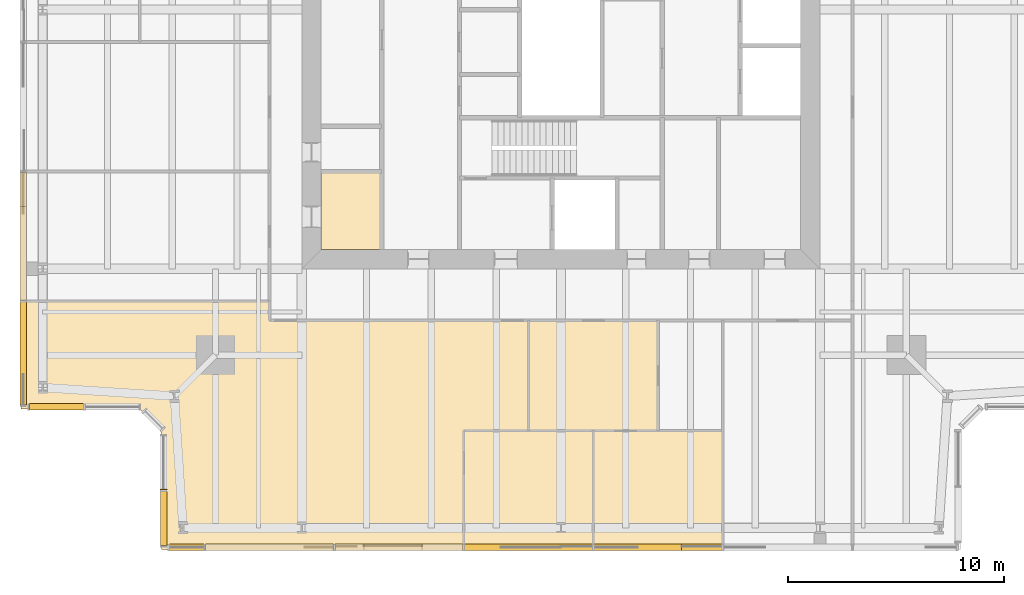
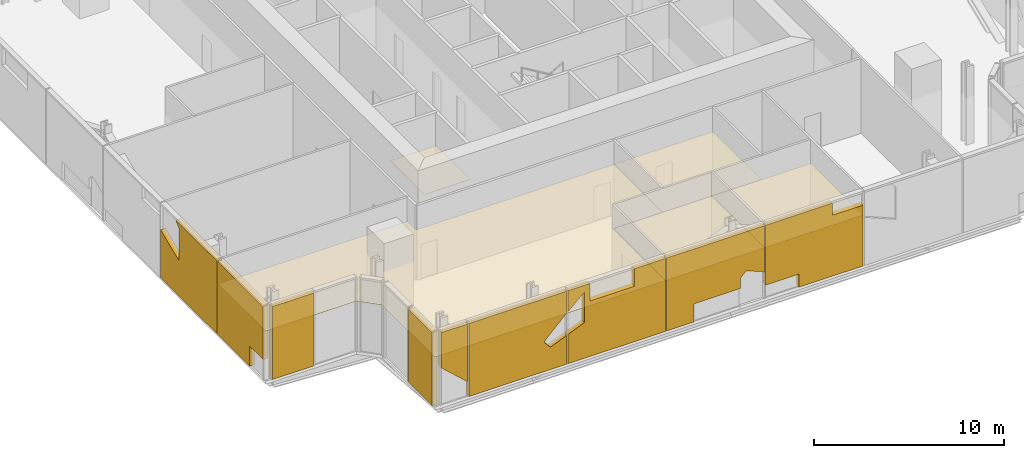
# One storey, part 11 of 15: 15 coverings.
"""IFC4 building model written with IfcOpenShell, lengths in metres."""

from ifc_helpers import new_model, si_unit, direction, frame, origin, place, context, subcontext, project, spatial, polyline, outline, extrude, material, layer, layer_set, type_object, element, save


model = new_model("IFC4")

# Units and contexts
model_context = context("Model", 3, precision=1e-05, world=origin(), true_north=direction((0.0, 1.0)))
body_context = subcontext(model_context, "Body", "Model", "MODEL_VIEW")
ifc_project = project(units=[si_unit("LENGTHUNIT", "METRE"), si_unit("AREAUNIT", "SQUARE_METRE"), si_unit("VOLUMEUNIT", "CUBIC_METRE"), si_unit("PLANEANGLEUNIT", "RADIAN"), si_unit("MASSUNIT", "GRAM", prefix="KILO")], contexts=[model_context])

# Site, building, storey
site_placement = place(None, origin())
site = spatial("IfcSite", under=ifc_project, at=site_placement, CompositionType="ELEMENT")
building_placement = place(site_placement, origin())
building = spatial("IfcBuilding", under=site, at=building_placement, Name="Fenwick Lantern Interchange", CompositionType="ELEMENT")
storey_placement = place(building_placement, frame((0.0, 0.0, 296.800048828125)))
storey = spatial("IfcBuildingStorey", under=building, at=storey_placement, Name="L72", CompositionType="ELEMENT", Elevation=296.800048828125)

# Coverings
ifc_material_1 = material(Name="Granite cladding, warm grey flamed finish, on aluminium carrier frame", Category="masonry")
ifc_layer_1 = layer(ifc_material_1, 0.300048828125)
ifc_layer_set_1 = layer_set([ifc_layer_1], Name="BRACE CASING PANEL 300")
covering_type_1 = type_object("IfcCoveringType", Name="BRACE CASING PANEL 300", PredefinedType="CLADDING", material=ifc_layer_set_1)
covering_1_placement = place(storey_placement, frame((6.60009765625, 0.10009765625, 0.9736328125), z_axis=(0.0, 0.0, 1.0), x_axis=(1.0, 0.0, 0.0)))
element("IfcCovering", 1, at=covering_1_placement, inside=storey, type_object=covering_type_1, Name="Brace casing 01 bay 00a", PredefinedType="CLADDING", context=body_context, shape_type="SweptSolid", body=[
    extrude(outline(polyline([(1.860107421875, 0.0), (1.860107421875, 3.706298828125), (0.280029296875, 3.706298828125), (0.280029296875, 1.436279296875), (1.860107421875, 0.0)])), frame((0.0, 0.14990234375, 0.0), z_axis=(0.0, -1.0, 0.0), x_axis=(1.0, 0.0, 0.0)), (0.0, 0.0, 1.0), 0.300048828125),
])
covering_2_placement = place(storey_placement, frame((6.60009765625, 0.10009765625, 0.0), z_axis=(0.0, 0.0, 1.0), x_axis=(1.0, 0.0, 0.0)))
element("IfcCovering", 2, at=covering_2_placement, inside=storey, type_object=covering_type_1, Name="Brace casing 01 bay 01a", PredefinedType="CLADDING", context=body_context, shape_type="SweptSolid", body=[
    extrude(outline(polyline([(1.93994140625, 0.0), (7.860107421875, 0.0), (7.860107421875, 1.837158203125), (6.891845703125, 1.433837890625), (6.548095703125, 1.8203125), (6.548095703125, 1.952392578125), (7.64501953125, 3.049560546875), (7.860107421875, 3.24658203125), (7.860107421875, 4.679931640625), (1.93994140625, 4.679931640625), (1.93994140625, 0.0)])), frame((0.0, 0.14990234375, 0.0), z_axis=(0.0, -1.0, 0.0), x_axis=(1.0, 0.0, 0.0)), (0.0, 0.0, 1.0), 0.300048828125),
])
covering_3_placement = place(storey_placement, frame((6.60009765625, 0.10009765625, 0.0), z_axis=(0.0, 0.0, 1.0), x_axis=(1.0, 0.0, 0.0)))
element("IfcCovering", 3, at=covering_3_placement, inside=storey, type_object=covering_type_1, Name="Brace casing 01 bay 02a", PredefinedType="CLADDING", context=body_context, shape_type="SweptSolid", body=[
    extrude(outline(polyline([(7.93994140625, 0.0), (13.860107421875, 0.0), (13.860107421875, 4.679931640625), (11.978271484375, 4.679931640625), (11.978271484375, 3.55322265625), (9.278076171875, 3.55322265625), (9.278076171875, 4.679931640625), (7.93994140625, 4.679931640625), (7.93994140625, 3.31982421875), (8.943115234375, 4.239501953125), (8.943115234375, 2.28857421875), (7.93994140625, 1.87060546875), (7.93994140625, 0.0)])), frame((0.0, 0.14990234375, 0.0), z_axis=(0.0, -1.0, 0.0), x_axis=(1.0, 0.0, 0.0)), (0.0, 0.0, 1.0), 0.300048828125),
])
covering_4_placement = place(storey_placement, frame((6.60009765625, 0.10009765625, 0.0), z_axis=(0.0, 0.0, 1.0), x_axis=(1.0, 0.0, 0.0)))
element("IfcCovering", 4, at=covering_4_placement, inside=storey, type_object=covering_type_1, Name="Brace casing 01 bay 03a", PredefinedType="CLADDING", context=body_context, shape_type="SweptSolid", body=[
    extrude(outline(polyline([(13.93994140625, 0.0), (15.60498046875, 0.0), (15.60498046875, 1.164306640625), (18.39990234375, 1.164306640625), (18.39990234375, 1.804443359375), (18.770263671875, 2.174560546875), (19.860107421875, 1.720703125), (19.860107421875, 4.679931640625), (13.93994140625, 4.679931640625), (13.93994140625, 0.0)])), frame((0.0, 0.14990234375, 0.0), z_axis=(0.0, -1.0, 0.0), x_axis=(1.0, 0.0, 0.0)), (0.0, 0.0, 1.0), 0.300048828125),
])
covering_5_placement = place(storey_placement, frame((6.60009765625, 0.10009765625, 0.0), z_axis=(0.0, 0.0, 1.0), x_axis=(1.0, 0.0, 0.0)))
element("IfcCovering", 5, at=covering_5_placement, inside=storey, type_object=covering_type_1, Name="Brace casing 01 bay 04a", PredefinedType="CLADDING", context=body_context, shape_type="SweptSolid", body=[
    extrude(outline(polyline([(21.965087890625, 0.0), (25.860107421875, 0.0), (25.860107421875, 3.90087890625), (23.987548828125, 3.90087890625), (23.987548828125, 4.679931640625), (19.93994140625, 4.679931640625), (19.93994140625, 0.843505859375), (21.965087890625, 0.843505859375), (21.965087890625, 0.0)])), frame((0.0, 0.14990234375, 0.0), z_axis=(0.0, -1.0, 0.0), x_axis=(1.0, 0.0, 0.0)), (0.0, 0.0, 1.0), 0.300048828125),
])
covering_6_placement = place(storey_placement, frame((0.10009765625, 43.39990234375, 0.0), z_axis=(0.0, 0.0, 1.0), x_axis=(0.0, -1.0, 0.0)))
element("IfcCovering", 6, at=covering_6_placement, inside=storey, type_object=covering_type_1, Name="Brace casing 13 bay 05a", PredefinedType="CLADDING", context=body_context, shape_type="SweptSolid", body=[
    extrude(outline(polyline([(25.93994140625, 0.0), (31.860107421875, 0.0), (31.860107421875, 4.679931640625), (27.5244140625, 4.679931640625), (27.85693359375, 4.34765625), (27.85693359375, 2.28857421875), (25.93994140625, 3.087158203125), (25.93994140625, 0.0)])), frame((0.0, 0.14990234375, 0.0), z_axis=(0.0, -1.0, 0.0), x_axis=(1.0, 0.0, 0.0)), (0.0, 0.0, 1.0), 0.300048828125),
])
covering_7_placement = place(storey_placement, frame((0.10009765625, 43.39990234375, 0.0), z_axis=(0.0, 0.0, 1.0), x_axis=(0.0, -1.0, 0.0)))
element("IfcCovering", 7, at=covering_7_placement, inside=storey, type_object=covering_type_1, Name="Brace casing 13 bay 06a", PredefinedType="CLADDING", context=body_context, shape_type="SweptSolid", body=[
    extrude(outline(polyline([(31.93994140625, 0.0), (35.2939453125, 0.0), (35.2939453125, 1.29541015625), (36.719970703125, 1.29541015625), (36.719970703125, 4.679931640625), (31.93994140625, 4.679931640625), (31.93994140625, 0.0)])), frame((0.0, 0.14990234375, 0.0), z_axis=(0.0, -1.0, 0.0), x_axis=(1.0, 0.0, 0.0)), (0.0, 0.0, 1.0), 0.300048828125),
])
covering_8_placement = place(storey_placement, frame((0.10009765625, 6.60009765625, 0.0), z_axis=(0.0, 0.0, 1.0), x_axis=(1.0, 0.0, 0.0)))
element("IfcCovering", 8, at=covering_8_placement, inside=storey, type_object=covering_type_1, Name="Brace casing 14 bay 00a", PredefinedType="CLADDING", context=body_context, shape_type="SweptSolid", body=[
    extrude(outline(polyline([(0.280029296875, 0.0), (2.78076171875, 0.0), (2.78076171875, 4.679931640625), (0.280029296875, 4.679931640625), (0.280029296875, 0.0)])), frame((0.0, 0.14990234375, 0.0), z_axis=(0.0, -1.0, 0.0), x_axis=(1.0, 0.0, 0.0)), (0.0, 0.0, 1.0), 0.300048828125),
])
covering_9_placement = place(storey_placement, frame((6.60009765625, 5.54150390625, 0.0), z_axis=(0.0, 0.0, 1.0), x_axis=(0.0, -1.0, 0.0)))
element("IfcCovering", 9, at=covering_9_placement, inside=storey, type_object=covering_type_1, Name="Brace casing 16 bay 00a", PredefinedType="CLADDING", context=body_context, shape_type="SweptSolid", body=[
    extrude(outline(polyline([(2.741455078125, 0.0), (2.78076171875, 0.0), (2.78076171875, 4.679931640625), (2.741455078125, 4.679931640625), (2.741455078125, 0.0)])), frame((0.0, 0.14990234375, 0.0), z_axis=(0.0, -1.0, 0.0), x_axis=(1.0, 0.0, 0.0)), (0.0, 0.0, 1.0), 0.300048828125),
])
covering_10_placement = place(storey_placement, frame((6.60009765625, 5.54150390625, 0.0), z_axis=(0.0, 0.0, 1.0), x_axis=(0.0, -1.0, 0.0)))
element("IfcCovering", 10, at=covering_10_placement, inside=storey, type_object=covering_type_1, Name="Brace casing 16 bay 01a", PredefinedType="CLADDING", context=body_context, shape_type="SweptSolid", body=[
    extrude(outline(polyline([(2.860595703125, 0.0), (5.361328125, 0.0), (5.361328125, 4.679931640625), (2.860595703125, 4.679931640625), (2.860595703125, 0.0)])), frame((0.0, 0.14990234375, 0.0), z_axis=(0.0, -1.0, 0.0), x_axis=(1.0, 0.0, 0.0)), (0.0, 0.0, 1.0), 0.300048828125),
])
ifc_material_2 = material(Name="Moisture resistant gypsum board on suspended frame, painted")
ifc_layer_2 = layer(ifc_material_2, 0.014892578125)
ifc_layer_set_2 = layer_set([ifc_layer_2], Name="MOISTURE RESISTANT CEILING 15")
covering_type_2 = type_object("IfcCoveringType", Name="MOISTURE RESISTANT CEILING 15", PredefinedType="CEILING", material=ifc_layer_set_2)
covering_11_placement = place(storey_placement, frame((0.0, 0.0, 2.599853515625)))
element("IfcCovering", 11, at=covering_11_placement, inside=storey, type_object=covering_type_2, Name="Accessible WC and shower ceiling", PredefinedType="CEILING", context=body_context, shape_type="SweptSolid", body=[
    extrude(outline(polyline([(13.89990234375, 13.89990234375), (16.699951171875, 13.89990234375), (16.699951171875, 17.5), (13.89990234375, 17.5), (13.89990234375, 13.89990234375)])), origin(), (0.0, 0.0, 1.0), 0.01513671875),
])
ifc_material_3 = material(Name="Gypsum plasterboard on suspended frame, painted")
ifc_layer_3 = layer(ifc_material_3, 0.014892578125)
ifc_layer_set_3 = layer_set([ifc_layer_3], Name="PLASTERBOARD CEILING 15")
covering_type_3 = type_object("IfcCoveringType", Name="PLASTERBOARD CEILING 15", PredefinedType="CEILING", material=ifc_layer_set_3)
covering_12_placement = place(storey_placement, frame((0.0, 0.0, 3.199951171875)))
element("IfcCovering", 12, at=covering_12_placement, inside=storey, type_object=covering_type_3, Name="Sky restaurant ceiling", PredefinedType="CEILING", context=body_context, shape_type="SweptSolid", body=[
    extrude(outline(polyline([(20.5, 0.0), (20.5, 5.5), (23.5, 5.5), (23.5, 10.60009765625), (11.5, 10.60009765625), (11.5, 11.5), (0.0, 11.5), (0.0, 6.5), (5.5, 6.5), (6.5, 5.5), (6.5, 0.0), (20.5, 0.0)])), origin(), (0.0, 0.0, 1.0), 0.014892578125),
])
covering_13_placement = place(storey_placement, frame((0.0, 0.0, 3.199951171875)))
element("IfcCovering", 13, at=covering_13_placement, inside=storey, type_object=covering_type_3, Name="Restaurant bar ceiling", PredefinedType="CEILING", context=body_context, shape_type="SweptSolid", body=[
    extrude(outline(polyline([(20.5, 0.0), (26.5, 0.0), (26.5, 5.5), (20.5, 5.5), (20.5, 0.0)])), origin(), (0.0, 0.0, 1.0), 0.014892578125),
])
covering_14_placement = place(storey_placement, frame((0.0, 0.0, 3.199951171875)))
element("IfcCovering", 14, at=covering_14_placement, inside=storey, type_object=covering_type_3, Name="Sky lobby ceiling", PredefinedType="CEILING", context=body_context, shape_type="SweptSolid", body=[
    extrude(outline(polyline([(23.5, 5.5), (29.5, 5.5), (29.5, 10.60009765625), (23.5, 10.60009765625), (23.5, 5.5)])), origin(), (0.0, 0.0, 1.0), 0.014892578125),
])
covering_15_placement = place(storey_placement, frame((0.0, 0.0, 3.199951171875)))
element("IfcCovering", 15, at=covering_15_placement, inside=storey, type_object=covering_type_3, Name="Restaurant private dining room ceiling", PredefinedType="CEILING", context=body_context, shape_type="SweptSolid", body=[
    extrude(outline(polyline([(26.5, 0.0), (32.5, 0.0), (32.5, 5.5), (26.5, 5.5), (26.5, 0.0)])), origin(), (0.0, 0.0, 1.0), 0.014892578125),
])

save(model, "model.ifc")
